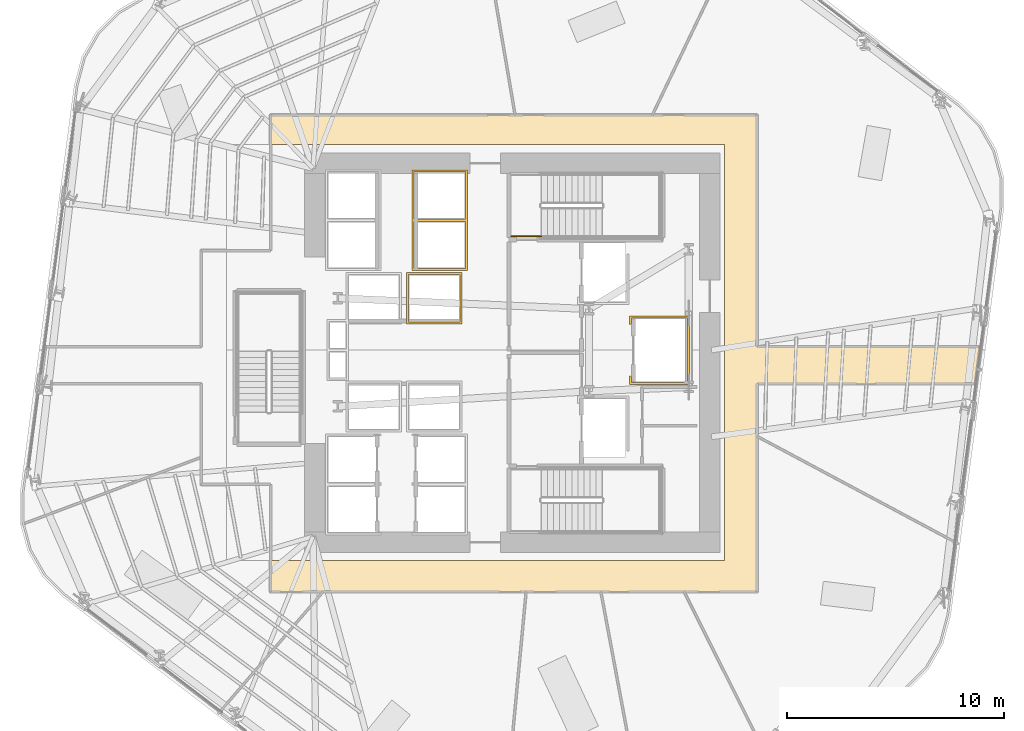
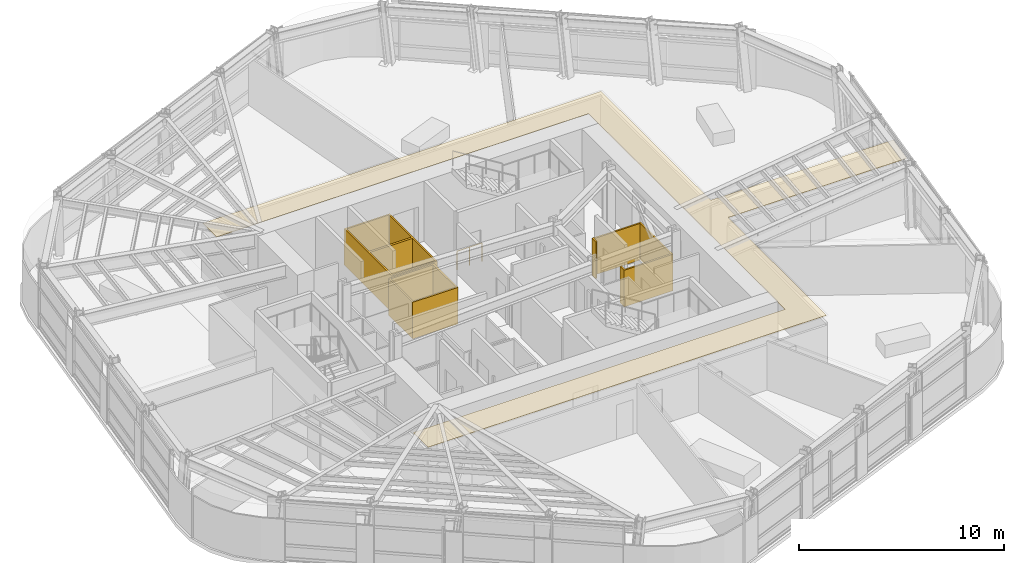
# One storey, part 15 of 18: 4 coverings, 1 railing.
"""IFC4 building model written with IfcOpenShell, lengths in metres."""

from ifc_helpers import new_model, si_unit, direction, frame, origin, origin_2d, place, context, subcontext, project, spatial, polyline, circle, outline, extrude, material, layer, layer_set, type_object, element, save


model = new_model("IFC4")

# Units and contexts
model_context = context("Model", 3, precision=1e-05, world=origin(), true_north=direction((0.0, 1.0)))
body_context = subcontext(model_context, "Body", "Model", "MODEL_VIEW")
ifc_project = project(units=[si_unit("LENGTHUNIT", "METRE"), si_unit("AREAUNIT", "SQUARE_METRE"), si_unit("VOLUMEUNIT", "CUBIC_METRE"), si_unit("PLANEANGLEUNIT", "RADIAN"), si_unit("MASSUNIT", "GRAM", prefix="KILO")], contexts=[model_context])

# Site, building, storey
site_placement = place(None, origin())
site = spatial("IfcSite", under=ifc_project, at=site_placement, CompositionType="ELEMENT")
building_placement = place(site_placement, origin())
building = spatial("IfcBuilding", under=site, at=building_placement, Name="Valkerne Bourse Tower", CompositionType="ELEMENT")
storey_placement = place(building_placement, frame((0.0, 0.0, 120.0)))
storey = spatial("IfcBuildingStorey", under=building, at=storey_placement, Name="L30", CompositionType="ELEMENT", Elevation=120.0)

# Coverings
ifc_material_1 = material(Name="Bronze Anodised Aluminium AA 6063-T6", Category="aluminium")
ifc_layer_1 = layer(ifc_material_1, 0.030029296875)
ifc_layer_set_1 = layer_set([ifc_layer_1], Name="Bronze Anodised Aluminium AA 6063-T6")
covering_type_1 = type_object("IfcCoveringType", Name="COV-CEIL-METAL", PredefinedType="CEILING", material=ifc_layer_set_1)
covering_1_placement = place(storey_placement, frame((0.0, 0.0, 3.22998046875)))
element("IfcCovering", 1, at=covering_1_placement, inside=storey, type_object=covering_type_1, Name="L30 Suspended Ceiling 01", PredefinedType="CEILING", context=body_context, shape_type="SweptSolid", body=[
    extrude(outline(polyline([(68.377197265625, 27.14599609375), (68.15625, 25.4541015625), (58.095947265625, 25.4541015625), (58.095947265625, 15.85400390625), (35.654052734375, 15.85400390625), (35.654052734375, 17.300048828125), (56.60009765625, 17.300048828125), (56.60009765625, 36.5), (35.654052734375, 36.5), (35.654052734375, 37.845947265625), (58.095947265625, 37.845947265625), (58.095947265625, 27.14599609375), (68.377197265625, 27.14599609375)])), origin(), (0.0, 0.0, 1.0), 0.02490234375),
])
ifc_material_2 = material(Name="Gypsum Shaftwall Liner Board", Category="gypsum")
ifc_layer_2 = layer(ifc_material_2, 0.080078125)
ifc_layer_set_2 = layer_set([ifc_layer_2], Name="Gypsum Shaftwall Liner Board")
covering_type_2 = type_object("IfcCoveringType", Name="COV-SHF-CLAD", PredefinedType="CLADDING", material=ifc_layer_set_2)
covering_2_placement = place(storey_placement, origin())
element("IfcCovering", 2, at=covering_2_placement, inside=storey, type_object=covering_type_2, Name="L30 Hoistway & Riser Shaftwall Liner 08", PredefinedType="CLADDING", context=body_context, shape_type="SweptSolid", body=[
    extrude(outline(polyline([(54.97998046875, 25.419921875), (52.219970703125, 25.419921875), (52.219970703125, 25.81787109375), (52.227783203125, 25.814208984375), (52.269287109375, 25.79931640625), (52.31005859375, 25.789306640625), (52.31005859375, 25.510009765625), (54.889892578125, 25.510009765625), (54.889892578125, 28.489990234375), (52.31005859375, 28.489990234375), (52.31005859375, 28.210693359375), (52.269287109375, 28.20068359375), (52.227783203125, 28.185791015625), (52.219970703125, 28.18212890625), (52.219970703125, 28.580078125), (54.97998046875, 28.580078125), (54.97998046875, 25.419921875)])), origin(), (0.0, 0.0, 1.0), 2.179931640625),
])
covering_3_placement = place(storey_placement, origin())
element("IfcCovering", 3, at=covering_3_placement, inside=storey, type_object=covering_type_2, Name="L30 Hoistway & Riser Shaftwall Liner 09", PredefinedType="CLADDING", context=body_context, shape_type="SweptSolid", body=[
    extrude(outline(polyline([(44.47998046875, 28.219970703125), (41.919921875, 28.219970703125), (41.919921875, 30.580078125), (44.47998046875, 30.580078125), (44.47998046875, 28.219970703125)]), holes=[polyline([(42.010009765625, 30.489990234375), (42.010009765625, 28.31005859375), (44.389892578125, 28.31005859375), (44.389892578125, 30.489990234375), (42.010009765625, 30.489990234375)])]), origin(), (0.0, 0.0, 1.0), 2.179931640625),
])
covering_4_placement = place(storey_placement, origin())
element("IfcCovering", 4, at=covering_4_placement, inside=storey, type_object=covering_type_2, Name="L30 Hoistway & Riser Shaftwall Liner 11", PredefinedType="CLADDING", context=body_context, shape_type="SweptSolid", body=[
    extrude(outline(polyline([(44.72998046875, 35.330078125), (44.72998046875, 33.030029296875), (44.72998046875, 32.969970703125), (44.72998046875, 30.669921875), (42.169921875, 30.669921875), (42.169921875, 32.969970703125), (42.169921875, 33.030029296875), (42.169921875, 35.330078125), (44.72998046875, 35.330078125)]), holes=[polyline([(42.260009765625, 30.760009765625), (44.639892578125, 30.760009765625), (44.639892578125, 32.93994140625), (42.260009765625, 32.93994140625), (42.260009765625, 30.760009765625)]), polyline([(42.260009765625, 33.06005859375), (44.639892578125, 33.06005859375), (44.639892578125, 35.239990234375), (42.260009765625, 35.239990234375), (42.260009765625, 33.06005859375)])]), origin(), (0.0, 0.0, 1.0), 2.179931640625),
])

# Railing
ifc_material_3 = material(Name="Galvanised Painted Steel", Category="steel")
railing_type = type_object("IfcRailingType", Name="RLG-ST-GUARD-1120", PredefinedType="GUARDRAIL", material=ifc_material_3)
railing_placement = place(storey_placement, frame((46.75, 32.25, 0.0)))
element("IfcRailing", 5, at=railing_placement, inside=storey, type_object=railing_type, Name="L30 ST-2 stair guard 8", PredefinedType="GUARDRAIL", context=body_context, shape_type="SweptSolid", body=[
    extrude(circle(Radius=0.02392578125, at=origin_2d()), frame((0.0, 0.0, 1.09619140625), z_axis=(1.0, 0.0, 0.0), x_axis=(0.0, 1.0, 0.0)), (0.0, 0.0, 1.0), 1.39990234375),
    extrude(circle(Radius=0.02099609375, at=origin_2d()), origin(), (0.0, 0.0, 1.0), 1.072021484375),
    extrude(circle(Radius=0.02099609375, at=origin_2d()), frame((0.699951171875, 0.0, 0.0)), (0.0, 0.0, 1.0), 1.072021484375),
    extrude(circle(Radius=0.02099609375, at=origin_2d()), frame((1.39990234375, 0.0, 0.0)), (0.0, 0.0, 1.0), 1.072021484375),
])

save(model, "model.ifc")
